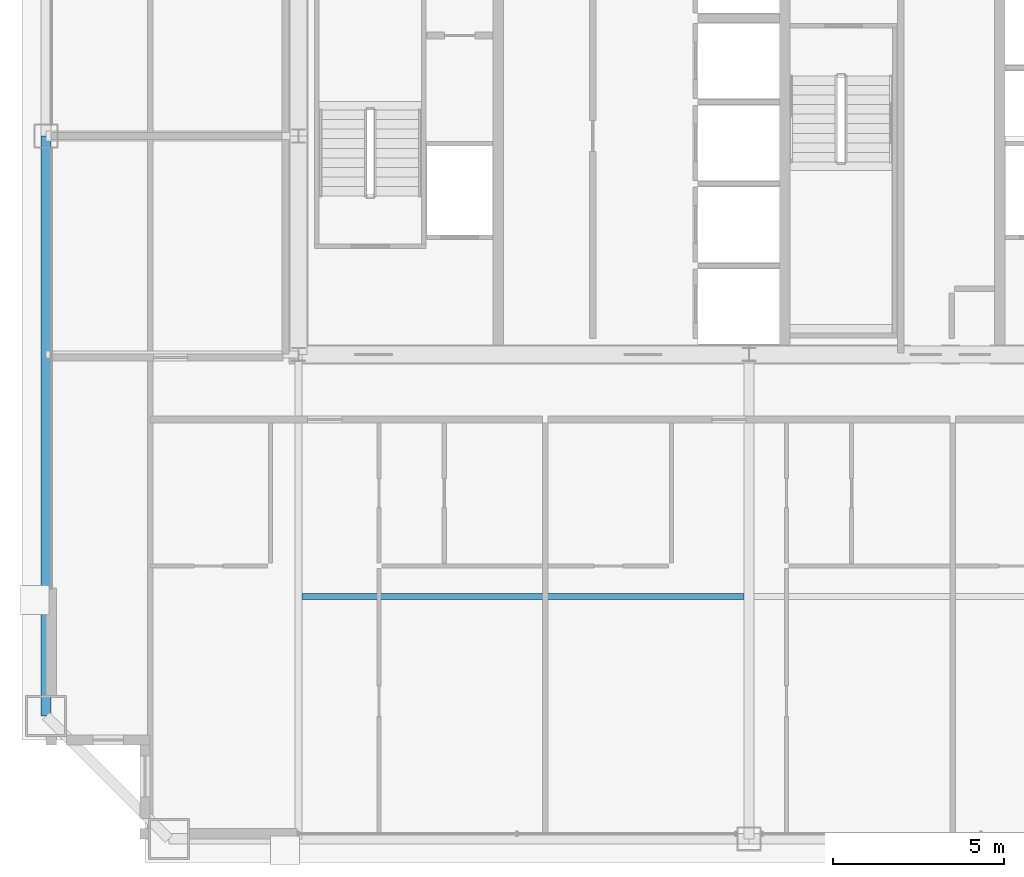
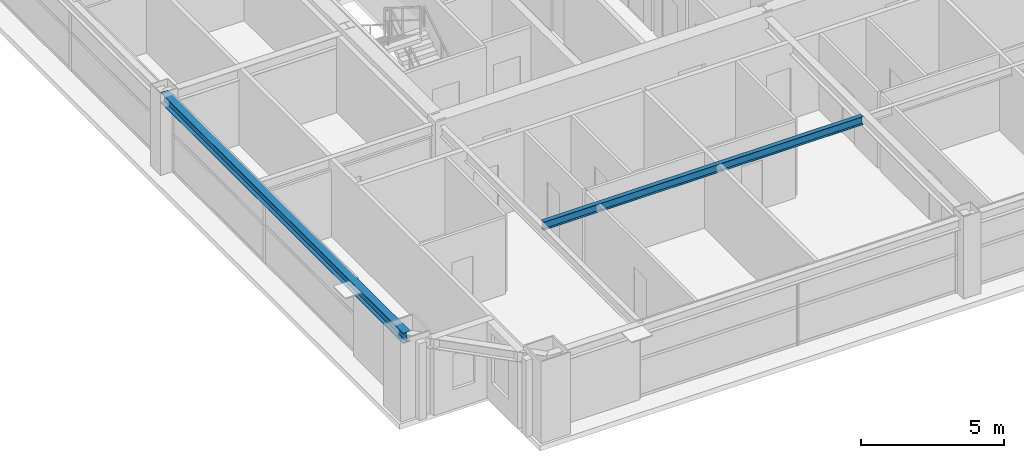
# One storey, part 6 of 37: 2 beams.
"""IFC4 building model written with IfcOpenShell, lengths in metres."""

from ifc_helpers import new_model, si_unit, direction, frame, origin, origin_2d, place, context, subcontext, project, spatial, i_section, extrude, source, transform, mapped, material, material_profile, profile_set, type_object, element, save


model = new_model("IFC4")

# Units and contexts
model_context = context("Model", 3, precision=1e-05, world=origin(), true_north=direction((0.0, 1.0)))
body_context = subcontext(model_context, "Body", "Model", "MODEL_VIEW")
ifc_project = project(units=[si_unit("LENGTHUNIT", "METRE"), si_unit("AREAUNIT", "SQUARE_METRE"), si_unit("VOLUMEUNIT", "CUBIC_METRE"), si_unit("PLANEANGLEUNIT", "RADIAN"), si_unit("MASSUNIT", "GRAM", prefix="KILO"), si_unit("THERMODYNAMICTEMPERATUREUNIT", "KELVIN"), si_unit("POWERUNIT", "WATT")], contexts=[model_context])

# Site, building, storey
site_placement = place(None, origin())
site = spatial("IfcSite", under=ifc_project, at=site_placement, CompositionType="ELEMENT")
building_placement = place(site_placement, origin())
building = spatial("IfcBuilding", under=site, at=building_placement, Name="Yuzanri Waterfront Tower", CompositionType="ELEMENT")
storey_placement = place(building_placement, frame((0.0, 0.0, 245.10009765625)))
storey = spatial("IfcBuildingStorey", under=building, at=storey_placement, Name="L65", CompositionType="ELEMENT", Elevation=245.10009765625)

# Beams
ifc_material_1 = material(Name="Steel Q355B", Category="steel")
ifc_material_profile_1 = material_profile(ifc_material_1, i_section(OverallWidth=0.300048828125, OverallDepth=0.43994140625, WebThickness=0.010986328125, FlangeThickness=0.01806640625, at=origin_2d()), Name="HM 440x300x11x18")
ifc_profile_set_1 = profile_set([ifc_material_profile_1], Name="Steel Q355B")
beam_type_1 = type_object("IfcBeamType", Name="Perimeter Spandrel Q355B HM 440x300", PredefinedType="SPANDREL", material=ifc_profile_set_1)
shared_shape_1 = source(origin(), body_context, "Body", "SweptSolid", [
    extrude(i_section(OverallWidth=0.300048828125, OverallDepth=0.43994140625, WebThickness=0.010986328125, FlangeThickness=0.01806640625, at=origin_2d()), origin(), (0.0, 0.0, 1.0), 17.0),
])
beam_1_placement = place(storey_placement, frame((16.39990234375, 25.800048828125, 3.059814453125), z_axis=(0.0, -1.0, 0.0), x_axis=(1.0, 0.0, 0.0)))
element("IfcBeam", 1, at=beam_1_placement, inside=storey, type_object=beam_type_1, Name="L65 Perimeter Spandrel W2-W1", PredefinedType="SPANDREL", context=body_context, shape_type="MappedRepresentation", body=[
    mapped(shared_shape_1, transform((0.0, 0.0, 0.0), scale=1.0)),
])
ifc_material_2 = material(Name="Steel Q355B", Category="steel")
ifc_material_profile_2 = material_profile(ifc_material_2, i_section(OverallWidth=0.175048828125, OverallDepth=0.35009765625, WebThickness=0.007080078125, FlangeThickness=0.010986328125, at=origin_2d()), Name="HN 350x175x7x11")
ifc_profile_set_2 = profile_set([ifc_material_profile_2], Name="Steel Q355B")
beam_type_2 = type_object("IfcBeamType", Name="Floor Joist Q355B HN 350x175", PredefinedType="JOIST", material=ifc_profile_set_2)
shared_shape_2 = source(origin(), body_context, "Body", "SweptSolid", [
    extrude(i_section(OverallWidth=0.175048828125, OverallDepth=0.35009765625, WebThickness=0.007080078125, FlangeThickness=0.010986328125, at=origin_2d()), origin(), (0.0, 0.0, 1.0), 12.9501953125),
])
beam_2_placement = place(storey_placement, frame((23.89990234375, 12.300048828125, 3.10498046875), z_axis=(1.0, 0.0, 0.0), x_axis=(0.0, 1.0, 0.0)))
element("IfcBeam", 2, at=beam_2_placement, inside=storey, type_object=beam_type_2, Name="L65 South Bay Joist W", PredefinedType="JOIST", context=body_context, shape_type="MappedRepresentation", body=[
    mapped(shared_shape_2, transform((0.0, 0.0, 0.0), scale=1.0)),
])

save(model, "model.ifc")
